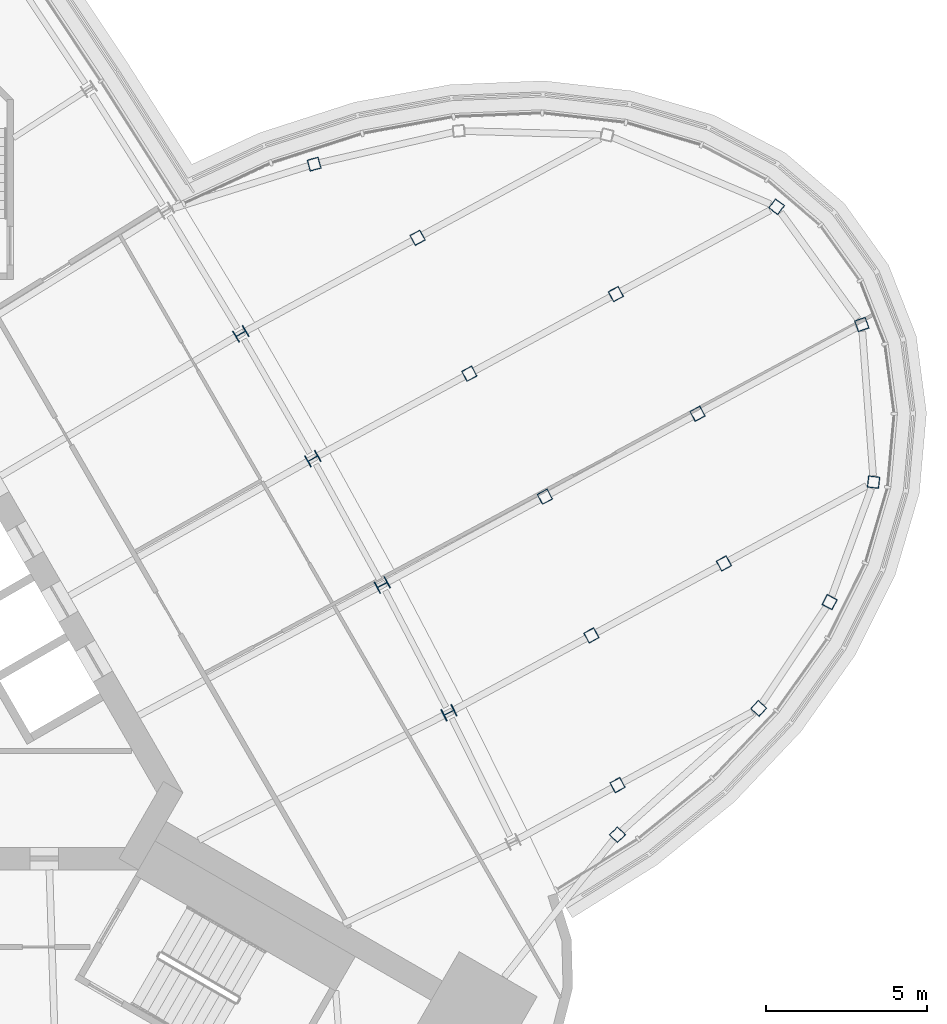
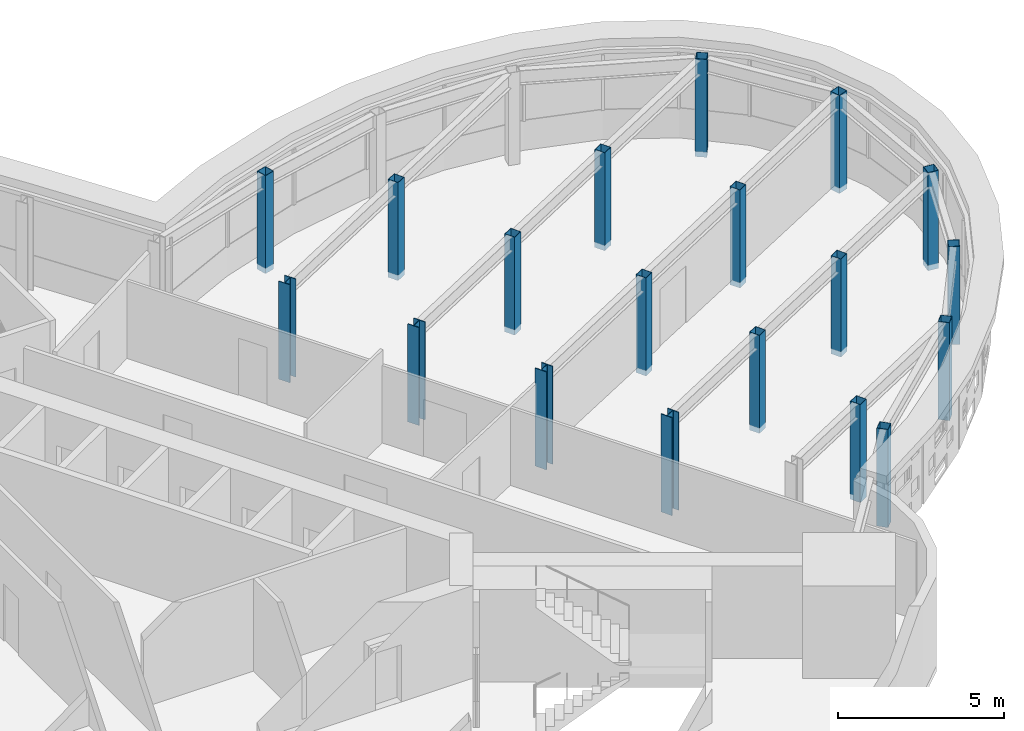
# One storey, part 2 of 15: 19 columns.
"""IFC4 building model written with IfcOpenShell, lengths in metres."""

from ifc_helpers import new_model, si_unit, direction, frame, origin, origin_2d, place, context, subcontext, project, spatial, hollow_rectangle, i_section, extrude, material, material_profile, profile_set, type_object, element, save


model = new_model("IFC4")

# Units and contexts
model_context = context("Model", 3, precision=1e-05, world=origin(), true_north=direction((0.0, 1.0)))
body_context = subcontext(model_context, "Body", "Model", "MODEL_VIEW")
ifc_project = project(units=[si_unit("LENGTHUNIT", "METRE"), si_unit("AREAUNIT", "SQUARE_METRE"), si_unit("VOLUMEUNIT", "CUBIC_METRE"), si_unit("PLANEANGLEUNIT", "RADIAN"), si_unit("MASSUNIT", "GRAM", prefix="KILO")], contexts=[model_context])

# Site, building, storey
site_placement = place(None, origin())
site = spatial("IfcSite", under=ifc_project, at=site_placement, CompositionType="ELEMENT")
building_placement = place(site_placement, origin())
building = spatial("IfcBuilding", under=site, at=building_placement, Name="Noor Cloister Tower", CompositionType="ELEMENT")
storey_placement = place(building_placement, frame((0.0, 0.0, 181.5)))
storey = spatial("IfcBuildingStorey", under=building, at=storey_placement, Name="L46", CompositionType="ELEMENT", Elevation=181.5)

# Columns
ifc_material_1 = material(Name="Steel ASTM A992 Gr 50", Category="steel")
ifc_material_profile_1 = material_profile(ifc_material_1, i_section(OverallWidth=0.39404296875, OverallDepth=0.3759765625, WebThickness=0.017333984375, FlangeThickness=0.027587890625, FilletRadius=0.01513671875, at=origin_2d()), Name="W360x216")
ifc_profile_set_1 = profile_set([ifc_material_profile_1], Name="Steel ASTM A992 Gr 50")
column_type_1 = type_object("IfcColumnType", Name="Column W360x216", PredefinedType="COLUMN", material=ifc_profile_set_1)
for number, where, z_axis, x_axis, name in (
    (1, (18.899658203125, -2.0390625, -0.199951171875), (0.0, 0.0, 1.0), (-0.453461072156, 0.89127608295, 0.0), "Column NE 02 L46"),
    (2, (16.822265625, 1.939453125, -0.199951171875), (0.0, 0.0, 1.0), (-0.472236585126, 0.881471841676, 0.0), "Column NE 03 L46"),
    (3, (14.660888671875, 5.873291015625, -0.199951171875), (0.0, 0.0, 1.0), (-0.490800232426, 0.87127213421, 0.0), "Column NE 04 L46"),
    (4, (12.416748046875, 9.760009765625, -0.199951171875), (0.0, 0.0, 1.0), (-0.509143685622, 0.860681536569, 0.0), "Column NE 05 L46"),
):
    element("IfcColumn", number, at=place(storey_placement, frame(where, z_axis=z_axis, x_axis=x_axis)), inside=storey, type_object=column_type_1, Name=name, PredefinedType="COLUMN", context=body_context, shape_type="SweptSolid", body=[
        extrude(i_section(OverallWidth=0.39404296875, OverallDepth=0.3759765625, WebThickness=0.017333984375, FlangeThickness=0.027587890625, FilletRadius=0.01513671875, at=origin_2d()), origin(), (0.0, 0.0, 1.0), 3.599853515625),
    ])
ifc_material_2 = material(Name="Steel ASTM A500 Gr C", Category="steel")
ifc_material_profile_2 = material_profile(ifc_material_2, hollow_rectangle(XDim=0.35595703125, YDim=0.35595703125, WallThickness=0.0126953125, at=origin_2d()), Name="HSS355.6x355.6x12.7")
ifc_profile_set_2 = profile_set([ifc_material_profile_2], Name="Steel ASTM A500 Gr C")
column_type_2 = type_object("IfcColumnType", Name="Pod post HSS355.6x355.6x12.7", PredefinedType="COLUMN", material=ifc_profile_set_2)
for number, where, z_axis, x_axis, name in (
    (5, (24.14697265625, -4.292724609375, -0.199951171875), (0.0, 0.0, 1.0), (0.878721830088, 0.477334207162, 0.0), "Pod post 3 L46 line 1 node 1"),
    (6, (23.334228515625, 0.369873046875, -0.199951171875), (0.0, 0.0, 1.0), (0.878721830088, 0.477334207162, 0.0), "Pod post 3 L46 line 2 node 1"),
    (7, (27.46044921875, 2.611328125, -0.199951171875), (0.0, 0.0, 1.0), (0.878721830088, 0.477334207162, 0.0), "Pod post 3 L46 line 2 node 2"),
    (8, (21.883056640625, 4.688720703125, -0.199951171875), (0.0, 0.0, 1.0), (0.878721830088, 0.477334207162, 0.0), "Pod post 3 L46 line 3 node 1"),
    (9, (26.63916015625, 7.272216796875, -0.199951171875), (0.0, 0.0, 1.0), (0.878721830088, 0.477334207162, 0.0), "Pod post 3 L46 line 3 node 2"),
    (10, (19.531005859375, 8.518798828125, -0.199951171875), (0.0, 0.0, 1.0), (0.878721830088, 0.477334207162, 0.0), "Pod post 3 L46 line 4 node 1"),
    (11, (24.0947265625, 10.997802734375, -0.199951171875), (0.0, 0.0, 1.0), (0.878721830088, 0.477334207162, 0.0), "Pod post 3 L46 line 4 node 2"),
    (12, (17.92236328125, 12.7509765625, -0.199951171875), (0.0, 0.0, 1.0), (0.878721830088, 0.477334207162, 0.0), "Pod post 3 L46 line 5 node 1"),
    (13, (24.144775390625, -5.838134765625, -0.199951171875), (0.0, 0.0, 1.0), (0.702740238121, 0.711446524853, 0.0), "Pod post 3 L46 ring 2"),
    (14, (28.541748046875, -1.9052734375, -0.199951171875), (0.0, 0.0, 1.0), (0.673877697356, 0.738842912266, 0.0), "Pod post 3 L46 ring 3"),
    (15, (30.75244140625, 1.406494140625, -0.199951171875), (0.0, 0.0, 1.0), (0.452688811831, 0.891668570514, 0.0), "Pod post 3 L46 ring 4"),
    (16, (32.119873046875, 5.142333984375, -0.199951171875), (0.0, 0.0, 1.0), (0.115028328529, 0.993362211701, 0.0), "Pod post 3 L46 ring 5"),
    (17, (31.75341796875, 10.05029296875, -0.199951171875), (0.0, 0.0, 1.0), (-0.332034673328, 0.943267181507, 0.0), "Pod post 3 L46 ring 6"),
    (18, (29.101318359375, 13.717529296875, -0.199951171875), (0.0, 0.0, 1.0), (-0.802221828229, 0.597026078419, 0.0), "Pod post 3 L46 ring 7"),
    (19, (14.700439453125, 15.043701171875, -0.199951171875), (0.0, 0.0, 1.0), (-0.965114642202, -0.261827667382, 0.0), "Pod post 3 L46 ring 10"),
):
    element("IfcColumn", number, at=place(storey_placement, frame(where, z_axis=z_axis, x_axis=x_axis)), inside=storey, type_object=column_type_2, Name=name, PredefinedType="COLUMN", context=body_context, shape_type="SweptSolid", body=[
        extrude(hollow_rectangle(XDim=0.35595703125, YDim=0.35595703125, WallThickness=0.0126953125, at=origin_2d()), origin(), (0.0, 0.0, 1.0), 3.599853515625),
    ])

save(model, "model.ifc")
